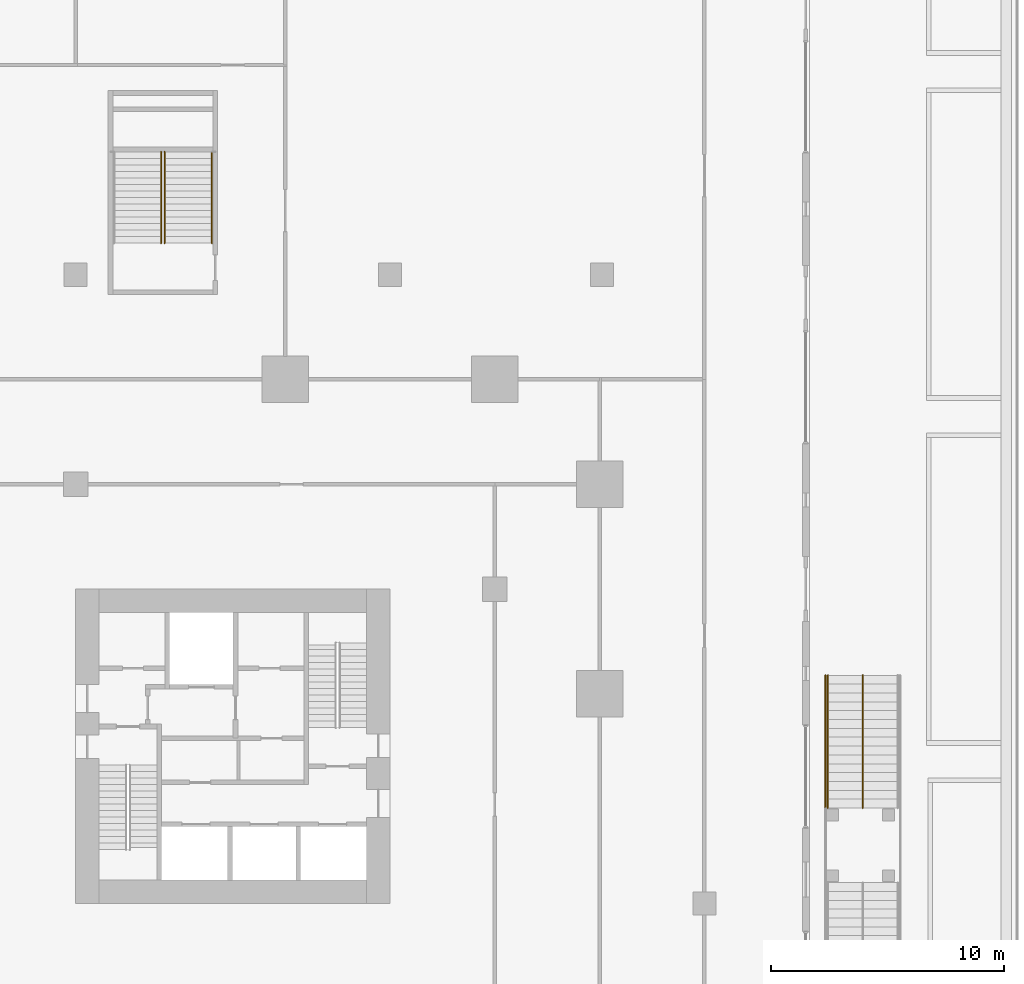
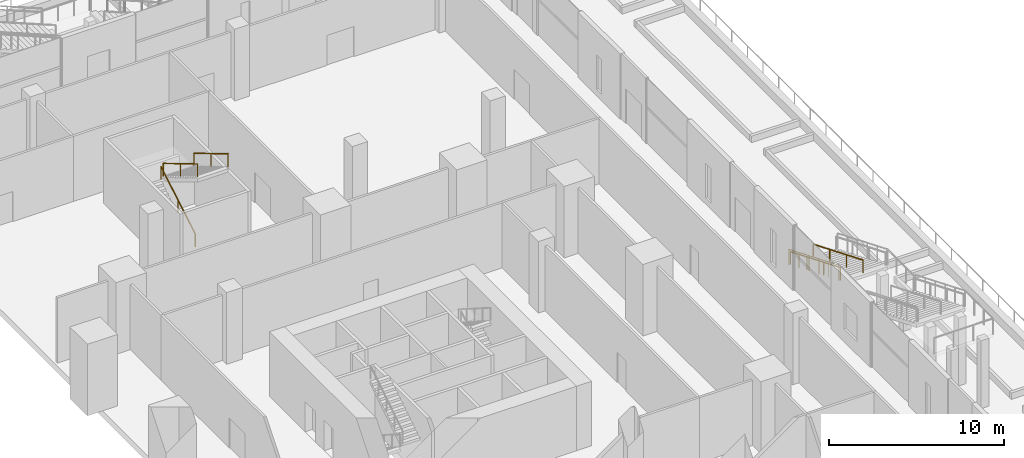
# One storey, part 47 of 49: 6 railings.
"""IFC4 building model written with IfcOpenShell, lengths in metres."""

import ifcopenshell
import ifcopenshell.guid

model = None  # the IFC model being written
_history = None  # IfcOwnerHistory: only IFC2X3 demands one
_inside = {}  # id of a spatial element -> (the spatial element, [elements in it])
_under = {}  # id of a project, library or spatial element -> (it, [spatial elements below it])
_declared = {}  # id of a project -> (the project, [libraries it declares])
_typed = {}  # id of a type object -> (the type object, [elements of that type])
_made_of = {}  # id of a material, layer set ... -> (it, [elements and type objects made of it])


def new_model(schema):
    """Start an empty IFC model of exactly this schema.

    Asked for "IFC4X3", IfcOpenShell would pick the latest addendum, in which some entities
    have other attributes; the version numbers below select the first issue.
    IFC2X3 requires an IfcOwnerHistory on every rooted entity: one is made here for all.
    """
    global model, _history
    if schema == "IFC4X3":
        model = ifcopenshell.file(schema_version=(4, 3, 0, 0))
    else:
        model = ifcopenshell.file(schema=schema)
    _inside.clear()
    _under.clear()
    _declared.clear()
    _typed.clear()
    _made_of.clear()
    _history = None
    if model.schema == "IFC2X3":
        org = make("IfcOrganization", Name="unknown")
        user = make(
            "IfcPersonAndOrganization",
            ThePerson=make("IfcPerson", FamilyName="unknown"),
            TheOrganization=org,
        )
        app = make(
            "IfcApplication",
            ApplicationDeveloper=org,
            Version="unknown",
            ApplicationFullName="unknown",
            ApplicationIdentifier="unknown",
        )
        _history = make(
            "IfcOwnerHistory",
            OwningUser=user,
            OwningApplication=app,
            ChangeAction="ADDED",
            CreationDate=0,
        )
    return model


def make(cls, **values):
    """One entity of the class cls with the attributes given. An attribute that is None is left unset."""
    return model.create_entity(
        cls, **{name: value for name, value in values.items() if value is not None}
    )


def rooted(cls, **values):
    """An entity with a GlobalId (a new one), such as an element, a storey or a relation."""
    return make(cls, GlobalId=ifcopenshell.guid.new(), OwnerHistory=_history, **values)


def si_unit(unit_type, name, prefix=None):
    """IfcSIUnit, for example si_unit("LENGTHUNIT", "METRE", prefix="MILLI")."""
    return make("IfcSIUnit", UnitType=unit_type, Prefix=prefix, Name=name)


def assignment(units):
    """IfcUnitAssignment: the units of a project."""
    return None if units is None else make("IfcUnitAssignment", Units=units)


def point(xyz):
    """IfcCartesianPoint."""
    return None if xyz is None else make("IfcCartesianPoint", Coordinates=xyz)


def direction(xyz):
    """IfcDirection."""
    return None if xyz is None else make("IfcDirection", DirectionRatios=xyz)


def frame(location, z_axis=None, x_axis=None):
    """IfcAxis2Placement3D, a coordinate frame: its origin and axes. An axis left out is left unset."""
    return make(
        "IfcAxis2Placement3D",
        Location=point(location),
        Axis=direction(z_axis),
        RefDirection=direction(x_axis),
    )


def frame_2d(location, x_axis=None):
    """IfcAxis2Placement2D, a coordinate frame in the plane: its origin and x axis."""
    return make(
        "IfcAxis2Placement2D", Location=point(location), RefDirection=direction(x_axis)
    )


def origin():
    """The frame at (0, 0, 0) with its axes left unset."""
    return frame((0.0, 0.0, 0.0))


def origin_2d():
    """The frame at (0, 0) in the plane with its x axis left unset."""
    return frame_2d((0.0, 0.0))


def place(relative_to, where):
    """IfcLocalPlacement: puts the frame where relative to a parent placement (None: the world)."""
    return make(
        "IfcLocalPlacement", PlacementRelTo=relative_to, RelativePlacement=where
    )


def context(
    kind, dimensions, precision=None, world=None, true_north=None, identifier=None
):
    """IfcGeometricRepresentationContext, for example the 3D "Model" context."""
    return make(
        "IfcGeometricRepresentationContext",
        ContextIdentifier=identifier,
        ContextType=kind,
        CoordinateSpaceDimension=dimensions,
        Precision=precision,
        WorldCoordinateSystem=world,
        TrueNorth=true_north,
    )


def subcontext(parent, identifier, kind, view, scale=None):
    """IfcGeometricRepresentationSubContext, for example "Body" below "Model"."""
    return make(
        "IfcGeometricRepresentationSubContext",
        ContextIdentifier=identifier,
        ContextType=kind,
        ParentContext=parent,
        TargetScale=scale,
        TargetView=view,
    )


def project(units=None, contexts=None):
    """IfcProject with its units and contexts."""
    return rooted(
        "IfcProject",
        Name="project",
        RepresentationContexts=contexts,
        UnitsInContext=assignment(units),
    )


def spatial(cls, under=None, at=None, **own):
    """A site, building, storey or space (cls), placed at a placement, below another one or the project."""
    s = rooted(cls, ObjectPlacement=at, **own)
    if under is not None:
        _under.setdefault(under.id(), (under, []))[1].append(s)
    return s


def profile(cls, at=None, kind="AREA", **sizes):
    """A parametric profile (cls). Its sizes go by their IFC names, for example OverallWidth=200.0."""
    return make(cls, ProfileType=kind, Position=at, **sizes)


def circle(**sizes):
    """IfcCircleProfileDef."""
    return profile("IfcCircleProfileDef", **sizes)


def extrude(swept, where, along, depth):
    """IfcExtrudedAreaSolid: the profile swept, set in the frame where, extruded along a direction by depth."""
    return make(
        "IfcExtrudedAreaSolid",
        SweptArea=swept,
        Position=where,
        ExtrudedDirection=direction(along),
        Depth=depth,
    )


def shape(context_of_items, identifier, shape_type, items):
    """IfcShapeRepresentation: the items that make up one representation, for example the "Body"."""
    return make(
        "IfcShapeRepresentation",
        ContextOfItems=context_of_items,
        RepresentationIdentifier=identifier,
        RepresentationType=shape_type,
        Items=items,
    )


def source(mapping_origin, context_of_items, identifier, shape_type, items):
    """IfcRepresentationMap: a shape defined once, which mapped items show again and again."""
    return make(
        "IfcRepresentationMap",
        MappingOrigin=mapping_origin,
        MappedRepresentation=shape(context_of_items, identifier, shape_type, items),
    )


def transform(
    local_origin,
    x_axis=None,
    y_axis=None,
    z_axis=None,
    scale=None,
    scale2=None,
    scale3=None,
    uniform=True,
):
    """IfcCartesianTransformationOperator3D, or its non-uniform kind. x_axis, y_axis, z_axis: its Axis1, 2, 3."""
    if uniform:
        return make(
            "IfcCartesianTransformationOperator3D",
            Axis1=direction(x_axis),
            Axis2=direction(y_axis),
            LocalOrigin=point(local_origin),
            Scale=scale,
            Axis3=direction(z_axis),
        )
    return make(
        "IfcCartesianTransformationOperator3DnonUniform",
        Axis1=direction(x_axis),
        Axis2=direction(y_axis),
        LocalOrigin=point(local_origin),
        Scale=scale,
        Axis3=direction(z_axis),
        Scale2=scale2,
        Scale3=scale3,
    )


def mapped(mapping_source, mapping_target):
    """IfcMappedItem: shows the shape of a source again, moved by a transform."""
    return make(
        "IfcMappedItem", MappingSource=mapping_source, MappingTarget=mapping_target
    )


def material(Name=None, Category=None):
    """IfcMaterial."""
    return make("IfcMaterial", Name=Name, Category=Category)


def made_of(thing, what):
    """Note that an element or type object is made of a material, layer set ...; save() writes the relation."""
    if what is not None:
        _made_of.setdefault(what.id(), (what, []))[1].append(thing)
    return thing


def type_object(cls, material=None, **own):
    """A type object (cls), such as IfcWallType, which elements share."""
    return made_of(rooted(cls, **own), material)


def element(
    cls,
    number,
    at=None,
    inside=None,
    cuts=None,
    type_object=None,
    material=None,
    context=None,
    identifier="Body",
    shape_type=None,
    held_by="IfcProductDefinitionShape",
    body=None,
    shapes=None,
    **own,
):
    """One element of the class cls, such as IfcWall. Its Tag is "e" and its number.

    at: its placement. inside: the storey or other place that contains it. cuts: it is an
    opening in that element (IfcRelVoidsElement). A single representation is given by context,
    identifier, shape_type and body (its items); several are given by shapes. held_by: the class
    of the entity that holds the representations. save() writes the other relations.
    """
    e = rooted(cls, Tag="e%d" % number, ObjectPlacement=at, **own)
    if body is not None:
        shapes = [shape(context, identifier, shape_type, body)]
    if shapes is not None:
        e.Representation = make(held_by, Representations=shapes)
    if inside is not None:
        _inside.setdefault(inside.id(), (inside, []))[1].append(e)
    if cuts is not None:
        rooted(
            "IfcRelVoidsElement", RelatingBuildingElement=cuts, RelatedOpeningElement=e
        )
    if type_object is not None:
        _typed.setdefault(type_object.id(), (type_object, []))[1].append(e)
    return made_of(e, material)


def aggregate(whole, parts):
    """IfcRelAggregates: a whole, such as a stair, and the parts it consists of."""
    return rooted("IfcRelAggregates", RelatingObject=whole, RelatedObjects=parts)


def save(model, path):
    """Write the relations noted so far, then the file.

    IfcRelAggregates (storeys below a building ...), IfcRelContainedInSpatialStructure (elements
    in a storey), IfcRelDefinesByType, IfcRelAssociatesMaterial and IfcRelDeclares: one each for
    every whole, place, type object, material and project.
    """
    for whole, parts in _under.values():
        aggregate(whole, parts)
    for where, things in _inside.values():
        rooted(
            "IfcRelContainedInSpatialStructure",
            RelatedElements=things,
            RelatingStructure=where,
        )
    for kind, things in _typed.values():
        rooted("IfcRelDefinesByType", RelatedObjects=things, RelatingType=kind)
    for what, things in _made_of.values():
        rooted("IfcRelAssociatesMaterial", RelatedObjects=things, RelatingMaterial=what)
    for by, libraries in _declared.values():
        rooted("IfcRelDeclares", RelatingContext=by, RelatedDefinitions=libraries)
    model.write(path)


model = new_model("IFC4")

# Units and contexts
model_context = context("Model", 3, precision=1e-05, world=origin(), true_north=direction((0.0, 1.0)))
body_context = subcontext(model_context, "Body", "Model", "MODEL_VIEW")
ifc_project = project(units=[si_unit("LENGTHUNIT", "METRE"), si_unit("AREAUNIT", "SQUARE_METRE"), si_unit("VOLUMEUNIT", "CUBIC_METRE"), si_unit("PLANEANGLEUNIT", "RADIAN"), si_unit("MASSUNIT", "GRAM", prefix="KILO")], contexts=[model_context])

# Site, building, storey
site_placement = place(None, origin())
site = spatial("IfcSite", under=ifc_project, at=site_placement, CompositionType="ELEMENT")
building_placement = place(site_placement, origin())
building = spatial("IfcBuilding", under=site, at=building_placement, Name="Altepetl Exchange Towers", CompositionType="ELEMENT")
storey_placement = place(building_placement, frame((0.0, 0.0, 11.5)))
storey = spatial("IfcBuildingStorey", under=building, at=storey_placement, Name="L02 Exchange podium", CompositionType="ELEMENT", Elevation=11.5)

# Railings
ifc_material_1 = material(Name="Laminated glass and steel", Category="steel")
railing_type_1 = type_object("IfcRailingType", Name="Hall gallery guard 1100", PredefinedType="GUARDRAIL", material=ifc_material_1)
shared_shape_1 = source(origin(), body_context, "Body", "SweptSolid", [
    extrude(circle(Radius=0.02001953125, at=origin_2d()), origin(), (0.0, 0.0, 1.0), 1.050048828125),
])
railing_1_placement = place(storey_placement, frame((135.699951171875, 45.800048828125, 0.15625)))
element("IfcRailing", 1, at=railing_1_placement, inside=storey, type_object=railing_type_1, Name="rail:P:L02:R6flightB_in", PredefinedType="GUARDRAIL", context=body_context, shape_type="SweptSolid", body=[
    extrude(circle(Radius=0.02490234375, at=origin_2d()), frame((0.0, 0.0, 1.0751953125), z_axis=(0.0, -0.924865858958, 0.380293495781), x_axis=(1.0, 0.0, 0.0)), (0.0, 0.0, 1.0), 6.1630859375),
    mapped(shared_shape_1, transform((0.0, 0.0, 0.0))),
    mapped(shared_shape_1, transform((0.0, -1.139892578125, 0.46875))),
    mapped(shared_shape_1, transform((0.0, -2.280029296875, 0.9375))),
    mapped(shared_shape_1, transform((0.0, -3.419921875, 1.40625))),
    mapped(shared_shape_1, transform((0.0, -4.56005859375, 1.875))),
    mapped(shared_shape_1, transform((0.0, -5.699951171875, 2.34375))),
])
ifc_material_2 = material(Name="Stainless steel", Category="steel")
railing_type_2 = type_object("IfcRailingType", Name="Stair handrail 900", PredefinedType="HANDRAIL", material=ifc_material_2)
shared_shape_2 = source(origin(), body_context, "Body", "SweptSolid", [
    extrude(circle(Radius=0.02001953125, at=origin_2d()), origin(), (0.0, 0.0, 1.0), 0.849853515625),
])
railing_2_placement = place(storey_placement, frame((107.175048828125, 64.35009765625, 0.166748046875)))
element("IfcRailing", 2, at=railing_2_placement, inside=storey, type_object=railing_type_2, Name="rail:P:L02:PY1:1b", PredefinedType="HANDRAIL", context=body_context, shape_type="SweptSolid", body=[
    extrude(circle(Radius=0.02490234375, at=origin_2d()), frame((0.0, 0.0, 0.875), z_axis=(0.0, 0.859296244711, 0.511478214419), x_axis=(-1.0, 0.0, 0.0)), (0.0, 0.0, 1.0), 4.561767578125),
    mapped(shared_shape_2, transform((0.0, 0.0, 0.0))),
    mapped(shared_shape_2, transform((0.0, 1.9599609375, 1.16650390625))),
    mapped(shared_shape_2, transform((0.0, 3.919921875, 2.333251953125))),
])
for number, where, name in (
    (3, (107.324951171875, 68.27001953125, 2.666748046875), "rail:P:L02:PY1:2a"),
    (4, (109.35009765625, 68.27001953125, 2.666748046875), "rail:P:L02:PY1:2b"),
):
    element("IfcRailing", number, at=place(storey_placement, frame(where)), inside=storey, type_object=railing_type_2, Name=name, PredefinedType="HANDRAIL", context=body_context, shape_type="SweptSolid", body=[
        extrude(circle(Radius=0.02490234375, at=origin_2d()), frame((0.0, 0.0, 0.875), z_axis=(0.0, -0.859296244711, 0.511478214419), x_axis=(1.0, 0.0, 0.0)), (0.0, 0.0, 1.0), 4.561767578125),
        mapped(shared_shape_2, transform((0.0, 0.0, 0.0))),
        mapped(shared_shape_2, transform((0.0, -1.9599609375, 1.16650390625))),
        mapped(shared_shape_2, transform((0.0, -3.919921875, 2.333251953125))),
    ])
for number, where, name in (
    (5, (135.800048828125, 45.800048828125, 0.15625), "rail:P:L02:R6hB_in"),
    (6, (137.300048828125, 45.800048828125, 0.15625), "rail:P:L02:R6hB_mid"),
):
    element("IfcRailing", number, at=place(storey_placement, frame(where)), inside=storey, type_object=railing_type_2, Name=name, PredefinedType="HANDRAIL", context=body_context, shape_type="SweptSolid", body=[
        extrude(circle(Radius=0.02490234375, at=origin_2d()), frame((0.0, 0.0, 0.875), z_axis=(0.0, -0.924865858958, 0.380293495781), x_axis=(1.0, 0.0, 0.0)), (0.0, 0.0, 1.0), 6.1630859375),
        mapped(shared_shape_2, transform((0.0, 0.0, 0.0))),
        mapped(shared_shape_2, transform((0.0, -1.89990234375, 0.78125))),
        mapped(shared_shape_2, transform((0.0, -3.800048828125, 1.5625))),
        mapped(shared_shape_2, transform((0.0, -5.699951171875, 2.34375))),
    ])

save(model, "model.ifc")
